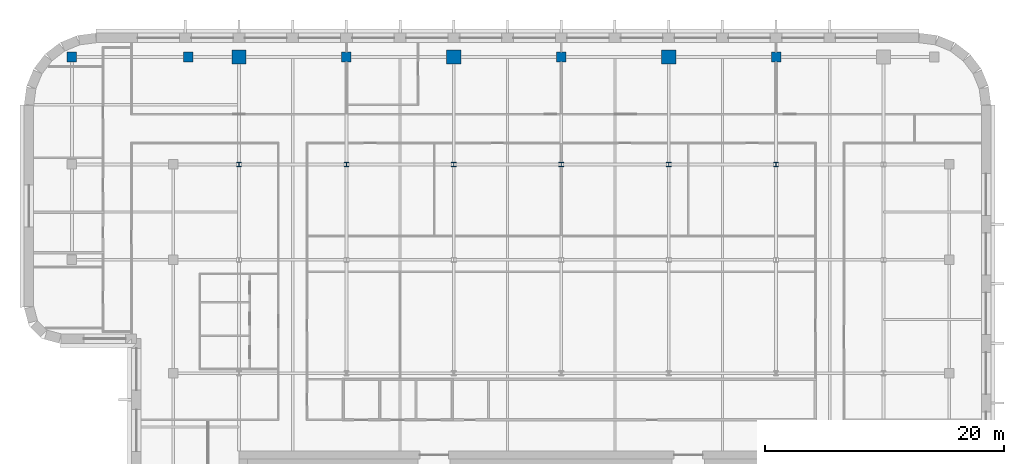
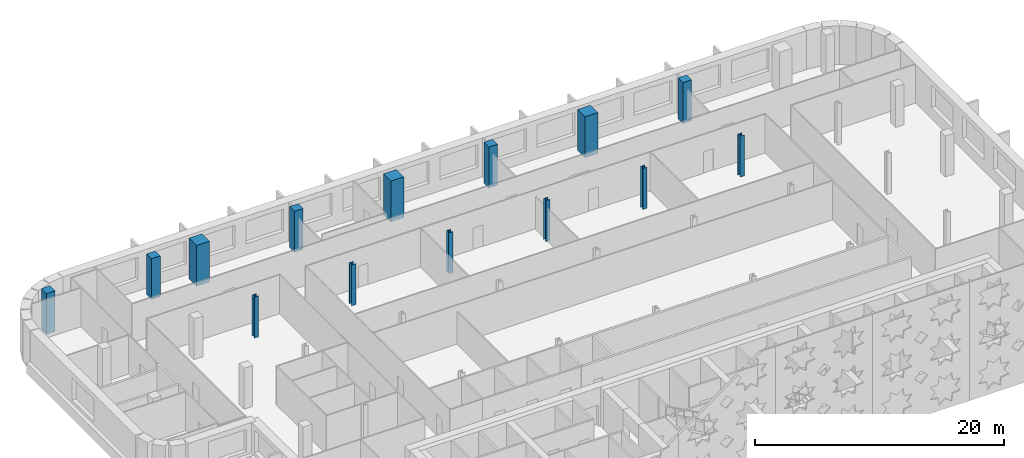
# One storey, part 3 of 18: 14 columns.
"""IFC4 building model written with IfcOpenShell, lengths in metres."""

from ifc_helpers import new_model, si_unit, direction, frame, origin, origin_2d, place, context, subcontext, project, spatial, rectangle, i_section, extrude, material, material_profile, profile_set, type_object, element, save


model = new_model("IFC4")

# Units and contexts
model_context = context("Model", 3, precision=1e-05, world=origin(), true_north=direction((0.0, 1.0)))
body_context = subcontext(model_context, "Body", "Model", "MODEL_VIEW")
ifc_project = project(units=[si_unit("LENGTHUNIT", "METRE"), si_unit("AREAUNIT", "SQUARE_METRE"), si_unit("VOLUMEUNIT", "CUBIC_METRE"), si_unit("PLANEANGLEUNIT", "RADIAN"), si_unit("MASSUNIT", "GRAM", prefix="KILO")], contexts=[model_context])

# Site, building, storey
site_placement = place(None, origin())
site = spatial("IfcSite", under=ifc_project, at=site_placement, CompositionType="ELEMENT")
building_placement = place(site_placement, origin())
building = spatial("IfcBuilding", under=site, at=building_placement, Name="Zellij Exchange Tower", CompositionType="ELEMENT")
storey_placement = place(building_placement, frame((0.0, 0.0, 240.5)))
storey = spatial("IfcBuildingStorey", under=building, at=storey_placement, Name="L56", CompositionType="ELEMENT", Elevation=240.5)

# Columns
ifc_material_1 = material(Name="Concrete C50/60", Category="concrete")
ifc_material_profile_1 = material_profile(ifc_material_1, rectangle(XDim=0.800048828125, YDim=0.800048828125, at=origin_2d()), Name="STR-COLUMN RC800x800 C50/60")
ifc_profile_set_1 = profile_set([ifc_material_profile_1], Name="Concrete C50/60")
column_type_1 = type_object("IfcColumnType", Name="STR-COLUMN RC800x800 C50/60", PredefinedType="COLUMN", material=ifc_profile_set_1)
for number, where, z_axis, x_axis, name in (
    (1, (-41.0, 31.0, 0.0), (0.0, 0.0, 1.0), (1.0, 0.0, 0.0), "C15"),
    (2, (-31.25, 31.0, 0.0), (0.0, 0.0, 1.0), (1.0, 0.0, 0.0), "C15"),
    (3, (-18.0, 31.0, 0.0), (0.0, 0.0, 1.0), (1.0, 0.0, 0.0), "C15"),
    (4, (0.0, 31.0, 0.0), (0.0, 0.0, 1.0), (1.0, 0.0, 0.0), "C15"),
    (5, (18.0, 31.0, 0.0), (0.0, 0.0, 1.0), (1.0, 0.0, 0.0), "C15"),
):
    element("IfcColumn", number, at=place(storey_placement, frame(where, z_axis=z_axis, x_axis=x_axis)), inside=storey, type_object=column_type_1, Name=name, PredefinedType="COLUMN", context=body_context, shape_type="SweptSolid", body=[
        extrude(rectangle(XDim=0.800048828125, YDim=0.800048828125, at=origin_2d()), origin(), (0.0, 0.0, 1.0), 4.0),
    ])
ifc_material_2 = material(Name="Structural steel ASTM A992 Gr 50", Category="steel")
ifc_material_profile_2 = material_profile(ifc_material_2, i_section(OverallWidth=0.398681640625, OverallDepth=0.385986328125, WebThickness=0.02099609375, FlangeThickness=0.033203125, at=origin_2d()), Name="W14x176")
ifc_profile_set_2 = profile_set([ifc_material_profile_2], Name="Structural steel ASTM A992 Gr 50")
column_type_2 = type_object("IfcColumnType", Name="STR-COLUMN W14x176", PredefinedType="COLUMN", material=ifc_profile_set_2)
for number, where, z_axis, x_axis, name in (
    (6, (-27.0, 22.0, 0.0), (0.0, 0.0, 1.0), (1.0, 0.0, 0.0), "C2"),
    (7, (-18.0, 22.0, 0.0), (0.0, 0.0, 1.0), (1.0, 0.0, 0.0), "C2"),
    (8, (-9.0, 22.0, 0.0), (0.0, 0.0, 1.0), (1.0, 0.0, 0.0), "C2"),
    (9, (0.0, 22.0, 0.0), (0.0, 0.0, 1.0), (1.0, 0.0, 0.0), "C2"),
    (10, (9.0, 22.0, 0.0), (0.0, 0.0, 1.0), (1.0, 0.0, 0.0), "C2"),
    (11, (18.0, 22.0, 0.0), (0.0, 0.0, 1.0), (1.0, 0.0, 0.0), "C2"),
):
    element("IfcColumn", number, at=place(storey_placement, frame(where, z_axis=z_axis, x_axis=x_axis)), inside=storey, type_object=column_type_2, Name=name, PredefinedType="COLUMN", context=body_context, shape_type="SweptSolid", body=[
        extrude(i_section(OverallWidth=0.398681640625, OverallDepth=0.385986328125, WebThickness=0.02099609375, FlangeThickness=0.033203125, at=origin_2d()), origin(), (0.0, 0.0, 1.0), 4.0),
    ])
ifc_material_profile_3 = material_profile(ifc_material_1, rectangle(XDim=1.199951171875, YDim=1.199951171875, at=origin_2d()), Name="STR-MEGA COLUMN RC1200x1200 C50/60")
ifc_profile_set_3 = profile_set([ifc_material_profile_3], Name="Concrete C50/60")
column_type_3 = type_object("IfcColumnType", Name="STR-MEGA COLUMN RC1200x1200 C50/60", PredefinedType="COLUMN", material=ifc_profile_set_3)
for number, where, z_axis, x_axis, name in (
    (12, (-27.0, 31.0, 0.0), (0.0, 0.0, 1.0), (1.0, 0.0, 0.0), "MC2"),
    (13, (-9.0, 31.0, 0.0), (0.0, 0.0, 1.0), (1.0, 0.0, 0.0), "MC2"),
    (14, (9.0, 31.0, 0.0), (0.0, 0.0, 1.0), (1.0, 0.0, 0.0), "MC2"),
):
    element("IfcColumn", number, at=place(storey_placement, frame(where, z_axis=z_axis, x_axis=x_axis)), inside=storey, type_object=column_type_3, Name=name, PredefinedType="COLUMN", context=body_context, shape_type="SweptSolid", body=[
        extrude(rectangle(XDim=1.199951171875, YDim=1.199951171875, at=origin_2d()), origin(), (0.0, 0.0, 1.0), 4.0),
    ])

save(model, "model.ifc")
